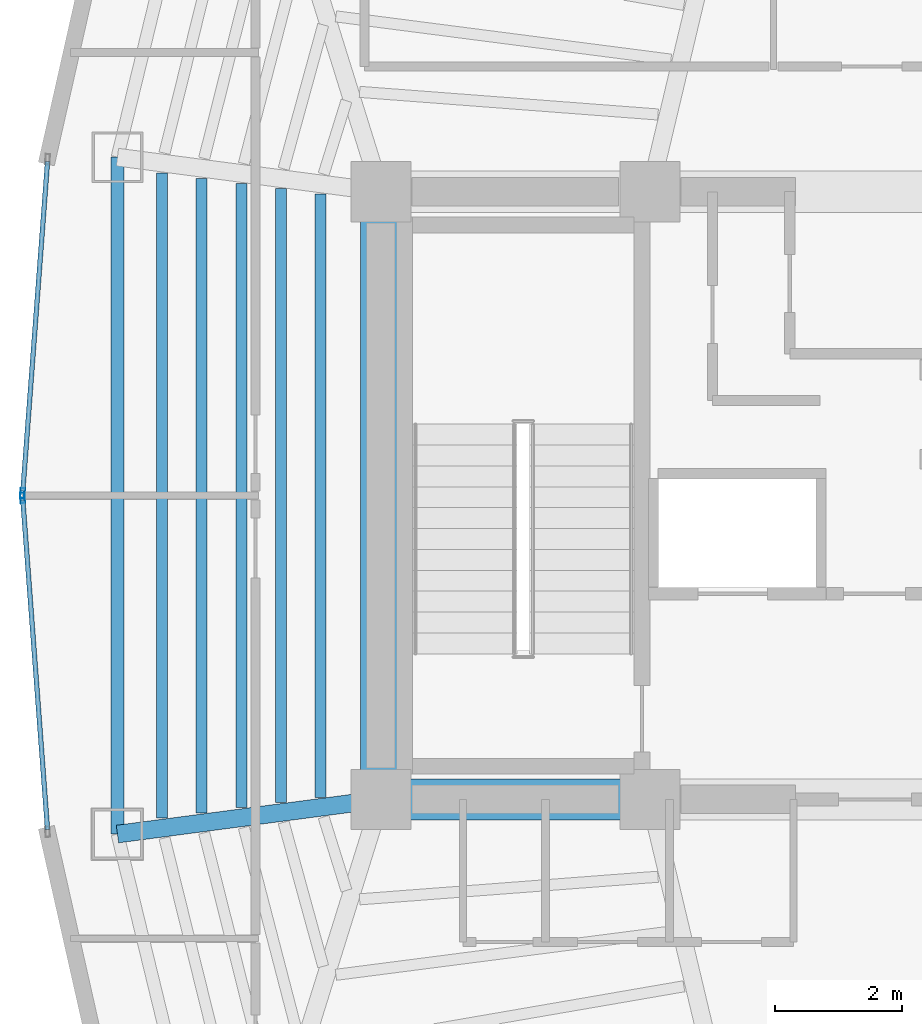
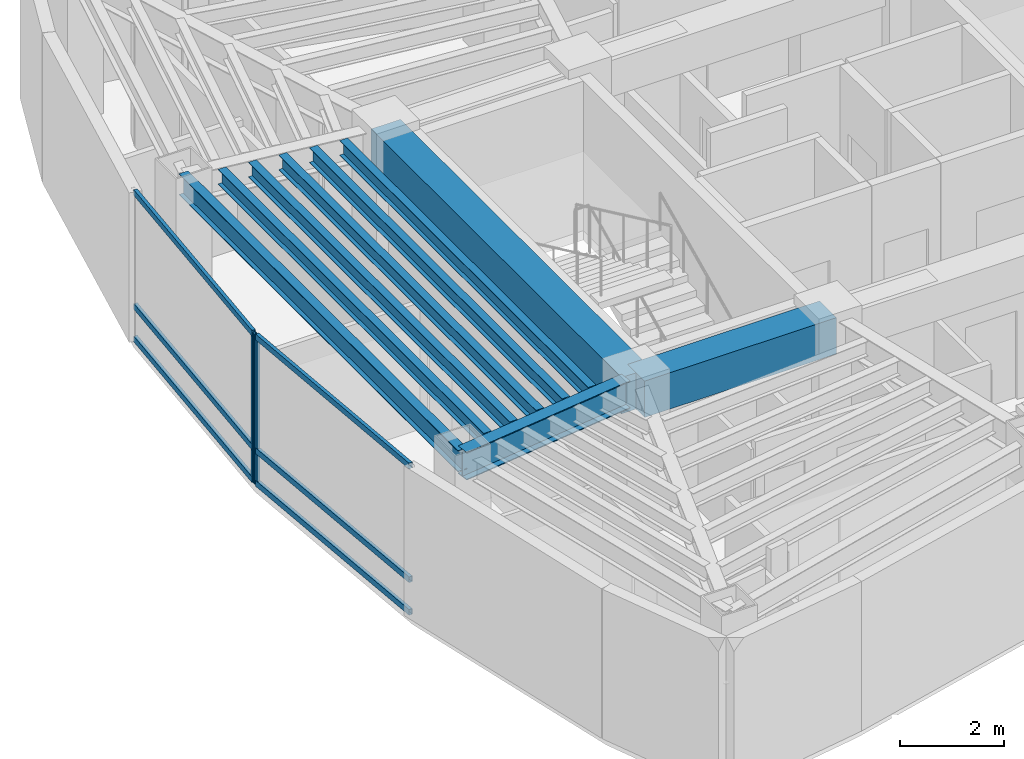
# One storey, part 4 of 15: 9 beams, 8 members, 2 elements without a shape of their own.
"""IFC4 building model written with IfcOpenShell, lengths in metres."""

from ifc_helpers import new_model, si_unit, direction, frame, origin, origin_2d, place, context, subcontext, project, spatial, rectangle, hollow_rectangle, i_section, extrude, material, layer, layer_set, material_profile, profile_set, type_object, element, aggregate, save


model = new_model("IFC4")

# Units and contexts
model_context = context("Model", 3, precision=1e-05, world=origin(), true_north=direction((0.0, 1.0)))
body_context = subcontext(model_context, "Body", "Model", "MODEL_VIEW")
ifc_project = project(units=[si_unit("LENGTHUNIT", "METRE"), si_unit("AREAUNIT", "SQUARE_METRE"), si_unit("VOLUMEUNIT", "CUBIC_METRE"), si_unit("PLANEANGLEUNIT", "RADIAN"), si_unit("MASSUNIT", "GRAM", prefix="KILO")], contexts=[model_context])

# Site, building, storey
site_placement = place(None, origin())
site = spatial("IfcSite", under=ifc_project, at=site_placement, CompositionType="ELEMENT")
building_placement = place(site_placement, origin())
building = spatial("IfcBuilding", under=site, at=building_placement, Name="Menara Vayukalpa", CompositionType="ELEMENT")
storey_placement = place(building_placement, frame((0.0, 0.0, 291.780029296875)))
storey = spatial("IfcBuildingStorey", under=building, at=storey_placement, Name="L74", CompositionType="ELEMENT", Elevation=291.780029296875)

# Beams
ifc_material_1 = material(Name="Concrete C60/75", Category="concrete")
ifc_material_profile_1 = material_profile(ifc_material_1, rectangle(XDim=0.64990234375, YDim=0.85009765625, at=origin_2d()), Name="RC 650x850")
ifc_profile_set_1 = profile_set([ifc_material_profile_1], Name="Concrete C60/75")
beam_type_1 = type_object("IfcBeamType", Name="BM-CB1", PredefinedType="BEAM", material=ifc_profile_set_1)
beam_1_placement = place(storey_placement, frame((17.800048828125, 17.199951171875, 3.074951171875), z_axis=(1.0, 0.0, 0.0), x_axis=(0.0, 1.0, 0.0)))
element("IfcBeam", 1, at=beam_1_placement, inside=storey, type_object=beam_type_1, Name="L74 Core Tie Beam CBR1", PredefinedType="BEAM", context=body_context, shape_type="SweptSolid", body=[
    extrude(rectangle(XDim=0.64990234375, YDim=0.85009765625, at=origin_2d()), origin(), (0.0, 0.0, 1.0), 4.25),
])
beam_2_placement = place(storey_placement, frame((17.800048828125, 17.199951171875, 3.074951171875), z_axis=(0.0, 1.0, 0.0), x_axis=(-1.0, 0.0, 0.0)))
element("IfcBeam", 2, at=beam_2_placement, inside=storey, type_object=beam_type_1, Name="L74 Core Tie Beam CBR7", PredefinedType="BEAM", context=body_context, shape_type="SweptSolid", body=[
    extrude(rectangle(XDim=0.64990234375, YDim=0.85009765625, at=origin_2d()), origin(), (0.0, 0.0, 1.0), 9.60009765625),
])
ifc_material_2 = material(Name="Steel S355", Category="steel")
ifc_material_profile_2 = material_profile(ifc_material_2, i_section(OverallWidth=0.280029296875, OverallDepth=0.64990234375, WebThickness=0.012939453125, FlangeThickness=0.02197265625, at=origin_2d()), Name="WF 650x280x13x22")
ifc_profile_set_2 = profile_set([ifc_material_profile_2], Name="Steel S355")
beam_type_2 = type_object("IfcBeamType", Name="BM-PG6", PredefinedType="BEAM", material=ifc_profile_set_2)
beam_3_placement = place(storey_placement, frame((17.552001953125, 17.16748046875, 3.175048828125), z_axis=(-0.991477860763, -0.130275291662, 0.0), x_axis=(0.130275291662, -0.991477860763, 0.0)))
element("IfcBeam", 3, at=beam_3_placement, inside=storey, type_object=beam_type_2, Name="L74 Primary Radial Girder RG06", PredefinedType="BEAM", context=body_context, shape_type="SweptSolid", body=[
    extrude(i_section(OverallWidth=0.280029296875, OverallDepth=0.64990234375, WebThickness=0.012939453125, FlangeThickness=0.02197265625, at=origin_2d()), origin(), (0.0, 0.0, 1.0), 3.94677734375),
])
ifc_material_3 = material(Name="Steel S355", Category="steel")
ifc_material_profile_3 = material_profile(ifc_material_3, i_section(OverallWidth=0.175048828125, OverallDepth=0.35009765625, WebThickness=0.007080078125, FlangeThickness=0.010986328125, at=origin_2d()), Name="WF 350x175x7x11")
ifc_profile_set_3 = profile_set([ifc_material_profile_3], Name="Steel S355")
beam_type_3 = type_object("IfcBeamType", Name="BM-SJ3", PredefinedType="JOIST", material=ifc_profile_set_3)
beam_4_placement = place(storey_placement, frame((16.84765625, 26.76513671875, 3.324951171875), z_axis=(0.0, -1.0, 0.0), x_axis=(1.0, 0.0, 0.0)))
element("IfcBeam", 4, at=beam_4_placement, inside=storey, type_object=beam_type_3, Name="L74 Secondary Floor Joist SJ05-1", PredefinedType="JOIST", context=body_context, shape_type="SweptSolid", body=[
    extrude(i_section(OverallWidth=0.175048828125, OverallDepth=0.35009765625, WebThickness=0.007080078125, FlangeThickness=0.010986328125, at=origin_2d()), origin(), (0.0, 0.0, 1.0), 9.5302734375),
])
beam_5_placement = place(storey_placement, frame((16.2216796875, 26.847412109375, 3.324951171875), z_axis=(0.0, -1.0, 0.0), x_axis=(1.0, 0.0, 0.0)))
element("IfcBeam", 5, at=beam_5_placement, inside=storey, type_object=beam_type_3, Name="L74 Secondary Floor Joist SJ05-2", PredefinedType="JOIST", context=body_context, shape_type="SweptSolid", body=[
    extrude(i_section(OverallWidth=0.175048828125, OverallDepth=0.35009765625, WebThickness=0.007080078125, FlangeThickness=0.010986328125, at=origin_2d()), origin(), (0.0, 0.0, 1.0), 9.69482421875),
])
beam_6_placement = place(storey_placement, frame((15.595458984375, 26.9296875, 3.324951171875), z_axis=(0.0, -1.0, 0.0), x_axis=(1.0, 0.0, 0.0)))
element("IfcBeam", 6, at=beam_6_placement, inside=storey, type_object=beam_type_3, Name="L74 Secondary Floor Joist SJ05-3", PredefinedType="JOIST", context=body_context, shape_type="SweptSolid", body=[
    extrude(i_section(OverallWidth=0.175048828125, OverallDepth=0.35009765625, WebThickness=0.007080078125, FlangeThickness=0.010986328125, at=origin_2d()), origin(), (0.0, 0.0, 1.0), 9.859375),
])
beam_7_placement = place(storey_placement, frame((14.969482421875, 27.011962890625, 3.324951171875), z_axis=(0.0, -1.0, 0.0), x_axis=(1.0, 0.0, 0.0)))
element("IfcBeam", 7, at=beam_7_placement, inside=storey, type_object=beam_type_3, Name="L74 Secondary Floor Joist SJ05-4", PredefinedType="JOIST", context=body_context, shape_type="SweptSolid", body=[
    extrude(i_section(OverallWidth=0.175048828125, OverallDepth=0.35009765625, WebThickness=0.007080078125, FlangeThickness=0.010986328125, at=origin_2d()), origin(), (0.0, 0.0, 1.0), 10.02392578125),
])
beam_8_placement = place(storey_placement, frame((14.343505859375, 27.09423828125, 3.324951171875), z_axis=(0.0, -1.0, 0.0), x_axis=(1.0, 0.0, 0.0)))
element("IfcBeam", 8, at=beam_8_placement, inside=storey, type_object=beam_type_3, Name="L74 Secondary Floor Joist SJ05-5", PredefinedType="JOIST", context=body_context, shape_type="SweptSolid", body=[
    extrude(i_section(OverallWidth=0.175048828125, OverallDepth=0.35009765625, WebThickness=0.007080078125, FlangeThickness=0.010986328125, at=origin_2d()), origin(), (0.0, 0.0, 1.0), 10.1884765625),
])
ifc_material_4 = material(Name="Steel S355", Category="steel")
ifc_material_profile_4 = material_profile(ifc_material_4, i_section(OverallWidth=0.199951171875, OverallDepth=0.5, WebThickness=0.010009765625, FlangeThickness=0.01611328125, at=origin_2d()), Name="WF 500x200x10x16")
ifc_profile_set_4 = profile_set([ifc_material_profile_4], Name="Steel S355")
beam_type_4 = type_object("IfcBeamType", Name="BM-SP3", PredefinedType="SPANDREL", material=ifc_profile_set_4)
beam_9_placement = place(storey_placement, frame((13.638916015625, 27.3466796875, 3.25), z_axis=(0.0, -1.0, 0.0), x_axis=(1.0, 0.0, 0.0)))
element("IfcBeam", 9, at=beam_9_placement, inside=storey, type_object=beam_type_4, Name="L74 Perimeter Spandrel Beam SP05", PredefinedType="SPANDREL", context=body_context, shape_type="SweptSolid", body=[
    extrude(i_section(OverallWidth=0.199951171875, OverallDepth=0.5, WebThickness=0.010009765625, FlangeThickness=0.01611328125, at=origin_2d()), origin(), (0.0, 0.0, 1.0), 10.693359375),
])

# Curtain wall, member
ifc_material_5 = material(Name="Anodised Terracotta Aluminium Alloy 6063-T6", Category="masonry")
ifc_layer = layer(ifc_material_5, 0.1650390625)
ifc_layer_set = layer_set([ifc_layer], Name="Anodised Terracotta Aluminium Alloy 6063-T6")
curtain_wall_type = type_object("IfcCurtainWallType", Name="CW-CW6", PredefinedType="USERDEFINED", material=ifc_layer_set)
curtain_wall_1_placement = place(storey_placement, origin())
curtain_wall_1 = element("IfcCurtainWall", 10, at=curtain_wall_1_placement, inside=storey, type_object=curtain_wall_type, Name="L74 Observation and Executive Curtain Wall CW6 10", ObjectType="UNITISED", PredefinedType="USERDEFINED")
ifc_material_6 = material(Name="Anodised Terracotta Aluminium Alloy 6063-T6", Category="masonry")
ifc_material_profile_5 = material_profile(ifc_material_6, hollow_rectangle(XDim=0.070068359375, YDim=0.1650390625, WallThickness=0.00390625, at=origin_2d()), Name="ALU 70x165x4")
ifc_profile_set_5 = profile_set([ifc_material_profile_5], Name="Anodised Terracotta Aluminium Alloy 6063-T6")
member_type_1 = type_object("IfcMemberType", Name="CWM-CW6", PredefinedType="MULLION", material=ifc_profile_set_5)
member_1_placement = place(storey_placement, frame((12.140625, 22.034912109375, 0.0), z_axis=(0.0, 0.0, 1.0), x_axis=(0.997199344663, -0.074789484574, 0.0)))
member_1 = element("IfcMember", 11, at=member_1_placement, type_object=member_type_1, Name="CW6 mullion 2", PredefinedType="MULLION", context=body_context, shape_type="SweptSolid", body=[
    extrude(hollow_rectangle(XDim=0.070068359375, YDim=0.1650390625, WallThickness=0.00390625, at=origin_2d()), origin(), (0.0, 0.0, 1.0), 3.5),
])

curtain_wall_2_placement = place(storey_placement, origin())
curtain_wall_2 = element("IfcCurtainWall", 12, at=curtain_wall_2_placement, inside=storey, type_object=curtain_wall_type, Name="L74 Observation and Executive Curtain Wall CW6 11", ObjectType="UNITISED", PredefinedType="USERDEFINED")
member_2_placement = place(storey_placement, frame((12.140625, 21.965087890625, 0.0), z_axis=(0.0, 0.0, 1.0), x_axis=(0.997199344663, 0.074789484574, 0.0)))
member_2 = element("IfcMember", 13, at=member_2_placement, type_object=member_type_1, Name="CW6 mullion 1", PredefinedType="MULLION", context=body_context, shape_type="SweptSolid", body=[
    extrude(hollow_rectangle(XDim=0.070068359375, YDim=0.1650390625, WallThickness=0.00390625, at=origin_2d()), origin(), (0.0, 0.0, 1.0), 3.5),
])

# Member
ifc_material_7 = material(Name="Anodised Terracotta Aluminium Alloy 6063-T6", Category="masonry")
ifc_material_profile_6 = material_profile(ifc_material_7, hollow_rectangle(XDim=0.074951171875, YDim=0.135009765625, WallThickness=0.00390625, at=origin_2d()), Name="ALU 75x135x4")
ifc_profile_set_6 = profile_set([ifc_material_profile_6], Name="Anodised Terracotta Aluminium Alloy 6063-T6")
member_type_2 = type_object("IfcMemberType", Name="CWT-CW6", PredefinedType="USERDEFINED", material=ifc_profile_set_6)
member_3_placement = place(storey_placement, frame((12.53369140625, 27.27685546875, 0.037353515625), z_axis=(-0.074762051827, -0.997201401727, 0.0), x_axis=(0.997201401727, -0.074762051827, 0.0)))
member_3 = element("IfcMember", 14, at=member_3_placement, type_object=member_type_2, Name="CW6 transom 1.1", ObjectType="TRANSOM", PredefinedType="USERDEFINED", context=body_context, shape_type="SweptSolid", body=[
    extrude(hollow_rectangle(XDim=0.074951171875, YDim=0.135009765625, WallThickness=0.00390625, at=origin_2d()), origin(), (0.0, 0.0, 1.0), 5.2216796875),
])

member_4_placement = place(storey_placement, frame((12.53369140625, 27.27685546875, 0.800048828125), z_axis=(-0.074762051827, -0.997201401727, 0.0), x_axis=(0.997201401727, -0.074762051827, 0.0)))
member_4 = element("IfcMember", 15, at=member_4_placement, type_object=member_type_2, Name="CW6 transom 1.2", ObjectType="TRANSOM", PredefinedType="USERDEFINED", context=body_context, shape_type="SweptSolid", body=[
    extrude(hollow_rectangle(XDim=0.074951171875, YDim=0.135009765625, WallThickness=0.00390625, at=origin_2d()), origin(), (0.0, 0.0, 1.0), 5.2216796875),
])

member_5_placement = place(storey_placement, frame((12.53369140625, 27.27685546875, 3.46240234375), z_axis=(-0.074762051827, -0.997201401727, 0.0), x_axis=(0.997201401727, -0.074762051827, 0.0)))
member_5 = element("IfcMember", 16, at=member_5_placement, type_object=member_type_2, Name="CW6 transom 1.3", ObjectType="TRANSOM", PredefinedType="USERDEFINED", context=body_context, shape_type="SweptSolid", body=[
    extrude(hollow_rectangle(XDim=0.074951171875, YDim=0.135009765625, WallThickness=0.00390625, at=origin_2d()), origin(), (0.0, 0.0, 1.0), 5.2216796875),
])

aggregate(curtain_wall_1, [member_1, member_3, member_4, member_5])

member_6_placement = place(storey_placement, frame((12.143310546875, 21.93017578125, 0.037353515625), z_axis=(0.074762051827, -0.997201401727, 0.0), x_axis=(0.997201401727, 0.074762051827, 0.0)))
member_6 = element("IfcMember", 17, at=member_6_placement, type_object=member_type_2, Name="CW6 transom 1.1", ObjectType="TRANSOM", PredefinedType="USERDEFINED", context=body_context, shape_type="SweptSolid", body=[
    extrude(hollow_rectangle(XDim=0.074951171875, YDim=0.135009765625, WallThickness=0.00390625, at=origin_2d()), origin(), (0.0, 0.0, 1.0), 5.2216796875),
])

member_7_placement = place(storey_placement, frame((12.143310546875, 21.93017578125, 0.800048828125), z_axis=(0.074762051827, -0.997201401727, 0.0), x_axis=(0.997201401727, 0.074762051827, 0.0)))
member_7 = element("IfcMember", 18, at=member_7_placement, type_object=member_type_2, Name="CW6 transom 1.2", ObjectType="TRANSOM", PredefinedType="USERDEFINED", context=body_context, shape_type="SweptSolid", body=[
    extrude(hollow_rectangle(XDim=0.074951171875, YDim=0.135009765625, WallThickness=0.00390625, at=origin_2d()), origin(), (0.0, 0.0, 1.0), 5.2216796875),
])

member_8_placement = place(storey_placement, frame((12.143310546875, 21.93017578125, 3.46240234375), z_axis=(0.074762051827, -0.997201401727, 0.0), x_axis=(0.997201401727, 0.074762051827, 0.0)))
member_8 = element("IfcMember", 19, at=member_8_placement, type_object=member_type_2, Name="CW6 transom 1.3", ObjectType="TRANSOM", PredefinedType="USERDEFINED", context=body_context, shape_type="SweptSolid", body=[
    extrude(hollow_rectangle(XDim=0.074951171875, YDim=0.135009765625, WallThickness=0.00390625, at=origin_2d()), origin(), (0.0, 0.0, 1.0), 5.2216796875),
])

aggregate(curtain_wall_2, [member_2, member_6, member_7, member_8])

save(model, "model.ifc")
